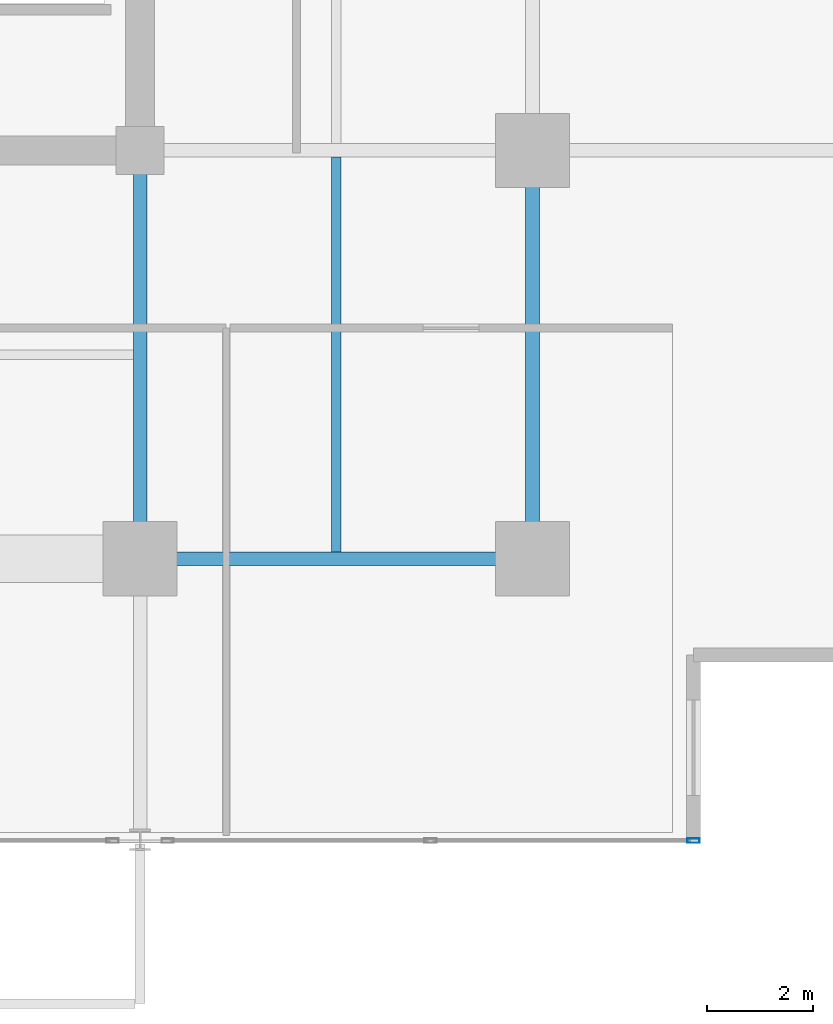
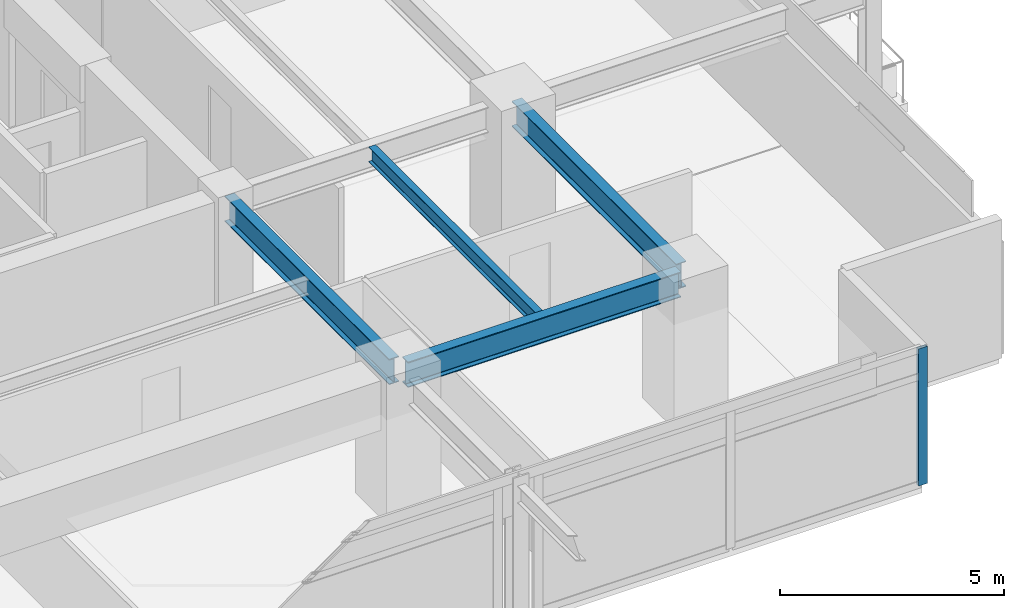
# One storey, part 10 of 21: 4 beams, 1 member, 1 element without a shape of its own.
"""IFC4 building model written with IfcOpenShell, lengths in metres."""

from ifc_helpers import new_model, si_unit, direction, frame, origin, origin_2d, place, context, subcontext, project, spatial, hollow_rectangle, i_section, extrude, material, material_profile, profile_set, type_object, element, aggregate, save


model = new_model("IFC4")

# Units and contexts
model_context = context("Model", 3, precision=1e-05, world=origin(), true_north=direction((0.0, 1.0)))
body_context = subcontext(model_context, "Body", "Model", "MODEL_VIEW")
ifc_project = project(units=[si_unit("LENGTHUNIT", "METRE"), si_unit("AREAUNIT", "SQUARE_METRE"), si_unit("VOLUMEUNIT", "CUBIC_METRE"), si_unit("PLANEANGLEUNIT", "RADIAN"), si_unit("MASSUNIT", "GRAM", prefix="KILO")], contexts=[model_context])

# Site, building, storey
site_placement = place(None, origin())
site = spatial("IfcSite", under=ifc_project, at=site_placement, CompositionType="ELEMENT")
building_placement = place(site_placement, origin())
building = spatial("IfcBuilding", under=site, at=building_placement, Name="Kovane Verandah Tower", CompositionType="ELEMENT")
storey_placement = place(building_placement, frame((0.0, 0.0, 217.199951171875)))
storey = spatial("IfcBuildingStorey", under=building, at=storey_placement, Name="L50", CompositionType="ELEMENT", Elevation=217.199951171875)

# Beams
ifc_material_1 = material(Name="Steel S355", Category="steel")
ifc_material_profile_1 = material_profile(ifc_material_1, i_section(OverallWidth=0.255859375, OverallDepth=0.69287109375, WebThickness=0.014404296875, FlangeThickness=0.023681640625, FilletRadius=0.01513671875, at=origin_2d()), Name="UB686x254x170")
ifc_profile_set_1 = profile_set([ifc_material_profile_1], Name="Steel S355")
beam_type_1 = type_object("IfcBeamType", Name="BM-UB686x170", PredefinedType="BEAM", material=ifc_profile_set_1)
beam_1_placement = place(storey_placement, frame((51.179931640625, 10.800048828125, 3.428466796875), z_axis=(1.0, 0.0, 0.0), x_axis=(0.0, 1.0, 0.0)))
element("IfcBeam", 1, at=beam_1_placement, inside=storey, type_object=beam_type_1, Name="L50 Primary Tower Girder G-RS3", PredefinedType="BEAM", context=body_context, shape_type="SweptSolid", body=[
    extrude(i_section(OverallWidth=0.255859375, OverallDepth=0.69287109375, WebThickness=0.014404296875, FlangeThickness=0.023681640625, FilletRadius=0.01513671875, at=origin_2d()), origin(), (0.0, 0.0, 1.0), 7.0400390625),
])
for number, where, z_axis, x_axis, name in (
    (2, (58.39990234375, 10.97998046875, 3.428466796875), (0.0, 1.0, 0.0), (-1.0, 0.0, 0.0), "L50 Primary Tower Girder G-RE1"),
    (3, (51.0, 18.320068359375, 3.428466796875), (0.0, -1.0, 0.0), (1.0, 0.0, 0.0), "L50 Primary Tower Girder G-S2"),
):
    element("IfcBeam", number, at=place(storey_placement, frame(where, z_axis=z_axis, x_axis=x_axis)), inside=storey, type_object=beam_type_1, Name=name, PredefinedType="BEAM", context=body_context, shape_type="SweptSolid", body=[
        extrude(i_section(OverallWidth=0.255859375, OverallDepth=0.69287109375, WebThickness=0.014404296875, FlangeThickness=0.023681640625, FilletRadius=0.01513671875, at=origin_2d()), origin(), (0.0, 0.0, 1.0), 7.340087890625),
    ])

# Curtain wall, member
ifc_material_2 = material(Name="Champagne Anodised Aluminium Frame with Low-E Clear Laminated Glass", Category="aluminium")
curtain_wall_type = type_object("IfcCurtainWallType", Name="CW-SYS-03-MID", PredefinedType="NOTDEFINED", material=ifc_material_2)
curtain_wall_placement = place(storey_placement, origin())
curtain_wall = element("IfcCurtainWall", 4, at=curtain_wall_placement, inside=storey, type_object=curtain_wall_type, Name="L50 S Unitised Curtain Wall-3", PredefinedType="NOTDEFINED")
ifc_material_3 = material(Name="Champagne Anodised Aluminium 6063-T6", Category="aluminium")
ifc_material_profile_2 = material_profile(ifc_material_3, hollow_rectangle(XDim=0.0849609375, YDim=0.22998046875, WallThickness=0.00390625, at=origin_2d()), Name="AL85x230x4")
ifc_profile_set_2 = profile_set([ifc_material_profile_2], Name="Champagne Anodised Aluminium 6063-T6")
member_type = type_object("IfcMemberType", Name="CW-MUL-85x230", PredefinedType="MULLION", material=ifc_profile_set_2)
member_placement = place(storey_placement, frame((61.4375, 5.485595703125, 0.02001953125), z_axis=(0.0, 0.0, 1.0), x_axis=(0.0, -1.0, 0.0)))
member = element("IfcMember", 5, at=member_placement, type_object=member_type, Name="L50 S Unitised Curtain Wall-3 Mullion 3", PredefinedType="MULLION", context=body_context, shape_type="SweptSolid", body=[
    extrude(hollow_rectangle(XDim=0.0849609375, YDim=0.22998046875, WallThickness=0.00390625, at=origin_2d()), origin(), (0.0, 0.0, 1.0), 3.735107421875),
])
aggregate(curtain_wall, [member])

# Beam
ifc_material_profile_3 = material_profile(ifc_material_1, i_section(OverallWidth=0.179443359375, OverallDepth=0.412841796875, WebThickness=0.009521484375, FlangeThickness=0.01611328125, FilletRadius=0.01025390625, at=origin_2d()), Name="UB406x178x74")
ifc_profile_set_3 = profile_set([ifc_material_profile_3], Name="Steel S355")
beam_type_2 = type_object("IfcBeamType", Name="JST-UB406x74", PredefinedType="JOIST", material=ifc_profile_set_3)
beam_2_placement = place(storey_placement, frame((54.699951171875, 10.92578125, 3.568603515625), z_axis=(0.0, 1.0, 0.0), x_axis=(-1.0, 0.0, 0.0)))
element("IfcBeam", 6, at=beam_2_placement, inside=storey, type_object=beam_type_2, Name="L50 Secondary Composite Joist J-SE1", PredefinedType="JOIST", context=body_context, shape_type="SweptSolid", body=[
    extrude(i_section(OverallWidth=0.179443359375, OverallDepth=0.412841796875, WebThickness=0.009521484375, FlangeThickness=0.01611328125, FilletRadius=0.01025390625, at=origin_2d()), origin(), (0.0, 0.0, 1.0), 7.4482421875),
])

save(model, "model.ifc")
